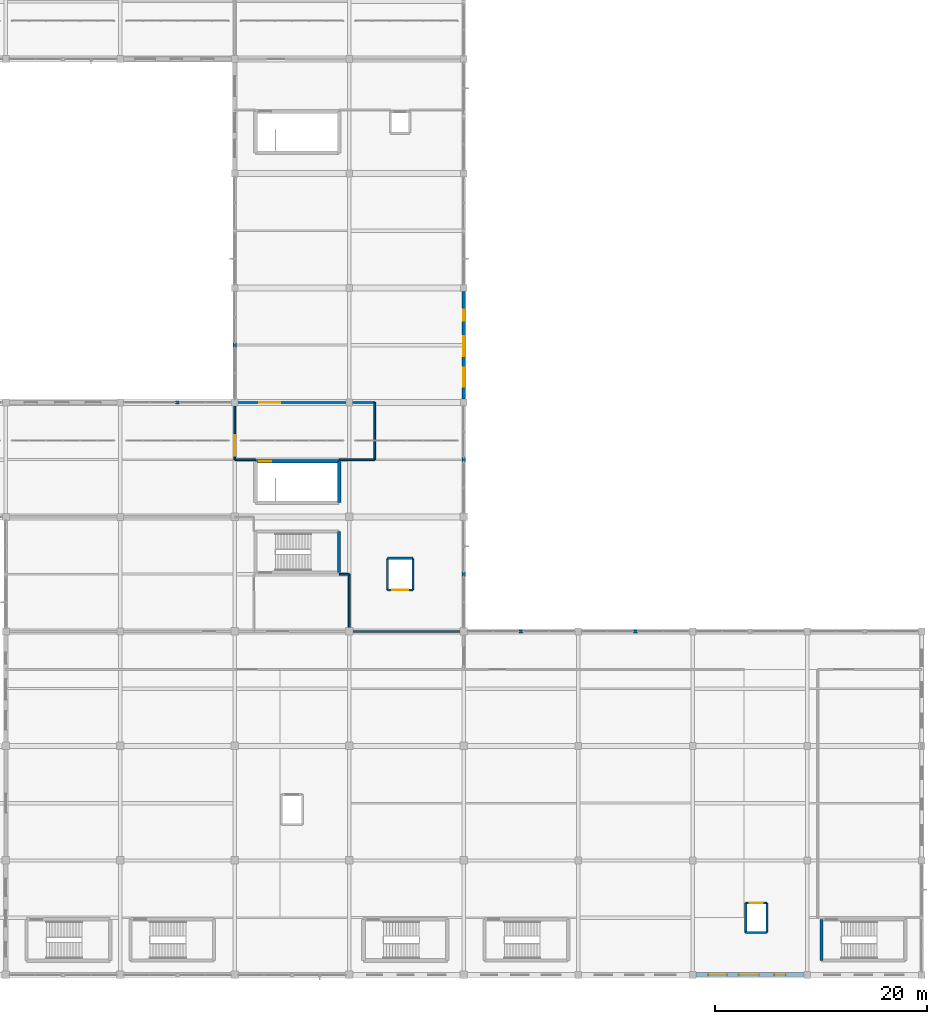
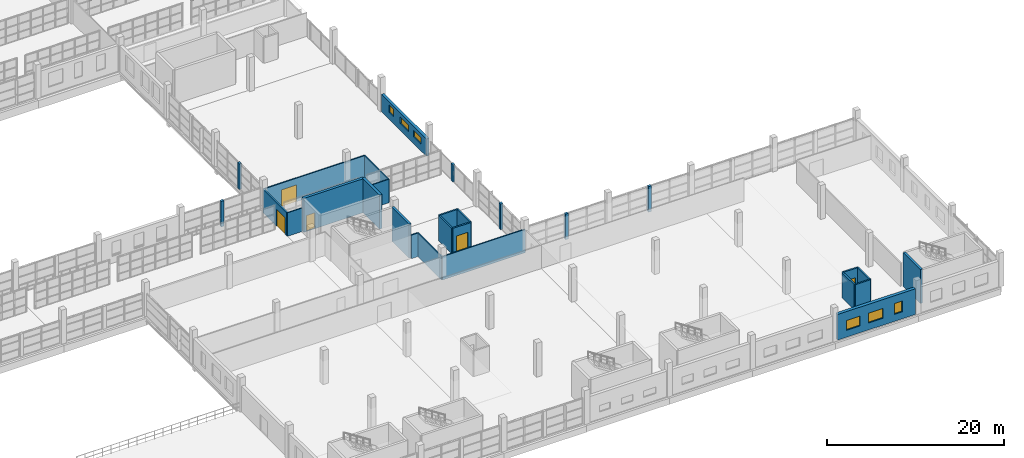
# One storey, part 112 of 142: 28 walls, 6 windows, 5 doors, 11 openings.
"""IFC4 building model written with IfcOpenShell, lengths in metres."""

from ifc_helpers import new_model, si_unit, direction, frame, frame_2d, origin, place, context, subcontext, project, spatial, rectangle, extrude, material, layer, layer_set, type_object, element, fill, save


model = new_model("IFC4")

# Units and contexts
model_context = context("Model", 3, precision=1e-05, world=origin(), true_north=direction((0.0, 1.0)))
body_context = subcontext(model_context, "Body", "Model", "MODEL_VIEW")
ifc_project = project(units=[si_unit("LENGTHUNIT", "METRE"), si_unit("AREAUNIT", "SQUARE_METRE"), si_unit("VOLUMEUNIT", "CUBIC_METRE"), si_unit("PLANEANGLEUNIT", "RADIAN"), si_unit("MASSUNIT", "GRAM", prefix="KILO")], contexts=[model_context])

# Site, building, storey
site_placement = place(None, origin())
site = spatial("IfcSite", under=ifc_project, at=site_placement, CompositionType="ELEMENT")
building_placement = place(site_placement, origin())
building = spatial("IfcBuilding", under=site, at=building_placement, Name="Zwinboog Wholesale Market", CompositionType="ELEMENT")
storey_placement = place(building_placement, frame((0.0, 0.0, 5.39990234375)))
storey = spatial("IfcBuildingStorey", under=building, at=storey_placement, Name="L01", CompositionType="ELEMENT", Elevation=5.39990234375)

# Wall, openings, windows
ifc_material_1 = material(Name="Precast concrete C45/55", Category="concrete")
ifc_layer_1 = layer(ifc_material_1, 0.3701171875)
ifc_layer_set_1 = layer_set([ifc_layer_1], Name="Precast concrete C45/55")
wall_type_1 = type_object("IfcWallType", Name="WT-EW-370", PredefinedType="STANDARD", material=ifc_layer_set_1)
wall_1_placement = place(storey_placement, frame((172.800048828125, 54.320068359375, 0.0), z_axis=(0.0, 0.0, 1.0), x_axis=(0.0, 1.0, 0.0)))
wall_1 = element("IfcWall", 1, at=wall_1_placement, inside=storey, type_object=wall_type_1, Name="EW-01 (WL-EW-L01-164)", PredefinedType="STANDARD", context=body_context, shape_type="SweptSolid", body=[
    extrude(rectangle(XDim=10.159912109375, YDim=0.3701171875, at=frame_2d((5.080078125, 0.0))), origin(), (0.0, 0.0, 1.0), 2.380126953125),
])
opening_1_placement = place(wall_1_placement, frame((1.1650390625, 0.0, 0.949951171875)))
opening_1 = element("IfcOpeningElement", 2, at=opening_1_placement, cuts=wall_1, Name="Opening WN-07", PredefinedType="OPENING", context=body_context, shape_type="SweptSolid", body=[
    extrude(rectangle(XDim=1.77001953125, YDim=0.89990234375, at=frame_2d((0.885009765625, 0.449951171875))), frame((0.0, 0.195068359375, 0.0), z_axis=(0.0, -1.0, 0.0), x_axis=(1.0, 0.0, 0.0)), (0.0, 0.0, 1.0), 0.39013671875),
])
opening_2_placement = place(wall_1_placement, frame((4.034912109375, 0.0, 0.949951171875)))
opening_2 = element("IfcOpeningElement", 3, at=opening_2_placement, cuts=wall_1, Name="Opening WN-08", PredefinedType="OPENING", context=body_context, shape_type="SweptSolid", body=[
    extrude(rectangle(XDim=1.889892578125, YDim=0.89990234375, at=frame_2d((0.94482421875, 0.449951171875))), frame((0.0, 0.195068359375, 0.0), z_axis=(0.0, -1.0, 0.0), x_axis=(1.0, 0.0, 0.0)), (0.0, 0.0, 1.0), 0.39013671875),
])
opening_3_placement = place(wall_1_placement, frame((7.385009765625, 0.0, 0.949951171875)))
opening_3 = element("IfcOpeningElement", 4, at=opening_3_placement, cuts=wall_1, Name="Opening WN-09", PredefinedType="OPENING", context=body_context, shape_type="SweptSolid", body=[
    extrude(rectangle(XDim=1.050048828125, YDim=1.050048828125, at=frame_2d((0.52490234375, 0.52490234375))), frame((0.0, 0.195068359375, 0.0), z_axis=(0.0, -1.0, 0.0), x_axis=(1.0, 0.0, 0.0)), (0.0, 0.0, 1.0), 0.39013671875),
])
ifc_material_2 = material(Name="Thermally broken aluminium low-e window", Category="aluminium")
window_type_1 = type_object("IfcWindowType", Name="WNT-07", PartitioningType="SINGLE_PANEL", PredefinedType="WINDOW", material=ifc_material_2)
window_1_placement = place(opening_1_placement, frame((1.77001953125, 0.0, 0.0), z_axis=(0.0, 0.0, 1.0), x_axis=(-1.0, 0.0, 0.0)))
window_1 = element("IfcWindow", 5, at=window_1_placement, inside=storey, type_object=window_type_1, Name="WN-07 (WIN-L01-0151)", OverallHeight=0.89990234375, OverallWidth=1.77001953125, PartitioningType="SINGLE_PANEL", PredefinedType="WINDOW", context=body_context, shape_type="SweptSolid", body=[
    extrude(rectangle(XDim=1.77001953125, YDim=0.89990234375, at=frame_2d((0.885009765625, 0.449951171875))), frame((0.0, 0.030029296875, 0.0), z_axis=(0.0, -1.0, 0.0), x_axis=(1.0, 0.0, 0.0)), (0.0, 0.0, 1.0), 0.06005859375),
])
fill(opening_1, window_1)
window_type_2 = type_object("IfcWindowType", Name="WNT-08", PartitioningType="SINGLE_PANEL", PredefinedType="WINDOW", material=ifc_material_2)
window_2_placement = place(opening_2_placement, frame((1.889892578125, 0.0, 0.0), z_axis=(0.0, 0.0, 1.0), x_axis=(-1.0, 0.0, 0.0)))
window_2 = element("IfcWindow", 6, at=window_2_placement, inside=storey, type_object=window_type_2, Name="WN-08 (WIN-L01-0152)", OverallHeight=0.89990234375, OverallWidth=1.889892578125, PartitioningType="SINGLE_PANEL", PredefinedType="WINDOW", context=body_context, shape_type="SweptSolid", body=[
    extrude(rectangle(XDim=1.889892578125, YDim=0.89990234375, at=frame_2d((0.94482421875, 0.449951171875))), frame((0.0, 0.030029296875, 0.0), z_axis=(0.0, -1.0, 0.0), x_axis=(1.0, 0.0, 0.0)), (0.0, 0.0, 1.0), 0.06005859375),
])
fill(opening_2, window_2)
window_type_3 = type_object("IfcWindowType", Name="WNT-09", PartitioningType="SINGLE_PANEL", PredefinedType="WINDOW", material=ifc_material_2)
window_3_placement = place(opening_3_placement, frame((1.050048828125, 0.0, 0.0), z_axis=(0.0, 0.0, 1.0), x_axis=(-1.0, 0.0, 0.0)))
window_3 = element("IfcWindow", 7, at=window_3_placement, inside=storey, type_object=window_type_3, Name="WN-09 (WIN-L01-0153)", OverallHeight=1.050048828125, OverallWidth=1.050048828125, PartitioningType="SINGLE_PANEL", PredefinedType="WINDOW", context=body_context, shape_type="SweptSolid", body=[
    extrude(rectangle(XDim=1.050048828125, YDim=1.050048828125, at=frame_2d((0.52490234375, 0.52490234375))), frame((0.0, 0.030029296875, 0.0), z_axis=(0.0, -1.0, 0.0), x_axis=(1.0, 0.0, 0.0)), (0.0, 0.0, 1.0), 0.06005859375),
])
fill(opening_3, window_3)

ifc_layer_2 = layer(ifc_material_1, 0.409912109375)
ifc_layer_set_2 = layer_set([ifc_layer_2], Name="Precast concrete C45/55")
wall_type_2 = type_object("IfcWallType", Name="WT-EW-410", PredefinedType="STANDARD", material=ifc_layer_set_2)
wall_2_placement = place(storey_placement, frame((194.719970703125, 0.0, 0.0), z_axis=(0.0, 0.0, 1.0), x_axis=(1.0, 0.0, 0.0)))
wall_2 = element("IfcWall", 8, at=wall_2_placement, inside=storey, type_object=wall_type_2, Name="EW-03 (WL-EW-L01-178)", PredefinedType="STANDARD", context=body_context, shape_type="SweptSolid", body=[
    extrude(rectangle(XDim=10.159912109375, YDim=0.409912109375, at=frame_2d((5.080078125, 0.0))), origin(), (0.0, 0.0, 1.0), 3.530029296875),
])
opening_4_placement = place(wall_2_placement, frame((1.1650390625, 0.0, 0.949951171875)))
opening_4 = element("IfcOpeningElement", 9, at=opening_4_placement, cuts=wall_2, Name="Opening WN-31", PredefinedType="OPENING", context=body_context, shape_type="SweptSolid", body=[
    extrude(rectangle(XDim=1.77001953125, YDim=1.35009765625, at=frame_2d((0.885009765625, 0.675048828125))), frame((0.0, 0.21484375, 0.0), z_axis=(0.0, -1.0, 0.0), x_axis=(1.0, 0.0, 0.0)), (0.0, 0.0, 1.0), 0.429931640625),
])
opening_5_placement = place(wall_2_placement, frame((4.034912109375, 0.0, 0.949951171875)))
opening_5 = element("IfcOpeningElement", 10, at=opening_5_placement, cuts=wall_2, Name="Opening WN-32", PredefinedType="OPENING", context=body_context, shape_type="SweptSolid", body=[
    extrude(rectangle(XDim=1.889892578125, YDim=1.35009765625, at=frame_2d((0.94482421875, 0.675048828125))), frame((0.0, 0.21484375, 0.0), z_axis=(0.0, -1.0, 0.0), x_axis=(1.0, 0.0, 0.0)), (0.0, 0.0, 1.0), 0.429931640625),
])
opening_6_placement = place(wall_2_placement, frame((7.385009765625, 0.0, 0.949951171875)))
opening_6 = element("IfcOpeningElement", 11, at=opening_6_placement, cuts=wall_2, Name="Opening WN-33", PredefinedType="OPENING", context=body_context, shape_type="SweptSolid", body=[
    extrude(rectangle(XDim=1.050048828125, YDim=1.5, at=frame_2d((0.52490234375, 0.75))), frame((0.0, 0.21484375, 0.0), z_axis=(0.0, -1.0, 0.0), x_axis=(1.0, 0.0, 0.0)), (0.0, 0.0, 1.0), 0.429931640625),
])
window_type_4 = type_object("IfcWindowType", Name="WNT-31", PartitioningType="SINGLE_PANEL", PredefinedType="WINDOW", material=ifc_material_2)
window_4_placement = place(opening_4_placement, frame((1.77001953125, 0.0, 0.0), z_axis=(0.0, 0.0, 1.0), x_axis=(-1.0, 0.0, 0.0)))
window_4 = element("IfcWindow", 12, at=window_4_placement, inside=storey, type_object=window_type_4, Name="WN-31 (WIN-L01-0175)", OverallHeight=1.35009765625, OverallWidth=1.77001953125, PartitioningType="SINGLE_PANEL", PredefinedType="WINDOW", context=body_context, shape_type="SweptSolid", body=[
    extrude(rectangle(XDim=1.77001953125, YDim=1.35009765625, at=frame_2d((0.885009765625, 0.675048828125))), frame((0.0, 0.030029296875, 0.0), z_axis=(0.0, -1.0, 0.0), x_axis=(1.0, 0.0, 0.0)), (0.0, 0.0, 1.0), 0.06005859375),
])
fill(opening_4, window_4)
window_type_5 = type_object("IfcWindowType", Name="WNT-32", PartitioningType="SINGLE_PANEL", PredefinedType="WINDOW", material=ifc_material_2)
window_5_placement = place(opening_5_placement, frame((1.889892578125, 0.0, 0.0), z_axis=(0.0, 0.0, 1.0), x_axis=(-1.0, 0.0, 0.0)))
window_5 = element("IfcWindow", 13, at=window_5_placement, inside=storey, type_object=window_type_5, Name="WN-32 (WIN-L01-0176)", OverallHeight=1.35009765625, OverallWidth=1.889892578125, PartitioningType="SINGLE_PANEL", PredefinedType="WINDOW", context=body_context, shape_type="SweptSolid", body=[
    extrude(rectangle(XDim=1.889892578125, YDim=1.35009765625, at=frame_2d((0.94482421875, 0.675048828125))), frame((0.0, 0.030029296875, 0.0), z_axis=(0.0, -1.0, 0.0), x_axis=(1.0, 0.0, 0.0)), (0.0, 0.0, 1.0), 0.06005859375),
])
fill(opening_5, window_5)
window_type_6 = type_object("IfcWindowType", Name="WNT-33", PartitioningType="SINGLE_PANEL", PredefinedType="WINDOW", material=ifc_material_2)
window_6_placement = place(opening_6_placement, frame((1.050048828125, 0.0, 0.0), z_axis=(0.0, 0.0, 1.0), x_axis=(-1.0, 0.0, 0.0)))
window_6 = element("IfcWindow", 14, at=window_6_placement, inside=storey, type_object=window_type_6, Name="WN-33 (WIN-L01-0177)", OverallHeight=1.5, OverallWidth=1.050048828125, PartitioningType="SINGLE_PANEL", PredefinedType="WINDOW", context=body_context, shape_type="SweptSolid", body=[
    extrude(rectangle(XDim=1.050048828125, YDim=1.5, at=frame_2d((0.52490234375, 0.75))), frame((0.0, 0.030029296875, 0.0), z_axis=(0.0, -1.0, 0.0), x_axis=(1.0, 0.0, 0.0)), (0.0, 0.0, 1.0), 0.06005859375),
])
fill(opening_6, window_6)

# Walls
ifc_layer_3 = layer(ifc_material_1, 0.304931640625)
ifc_layer_set_3 = layer_set([ifc_layer_3], Name="Precast concrete C45/55")
wall_type_3 = type_object("IfcWallType", Name="WT-EW-305", PredefinedType="STANDARD", material=ifc_layer_set_3)
wall_3_placement = place(storey_placement, frame((145.60009765625, 54.0, 0.0), z_axis=(0.0, 0.0, 1.0), x_axis=(1.0, 0.0, 0.0)))
element("IfcWall", 15, at=wall_3_placement, inside=storey, type_object=wall_type_3, Name="EW-07 (WL-PIER-L01-153)", PredefinedType="STANDARD", context=body_context, shape_type="SweptSolid", body=[
    extrude(rectangle(XDim=0.39990234375, YDim=0.304931640625, at=frame_2d((0.199951171875, 0.0))), origin(), (0.0, 0.0, 1.0), 3.530029296875),
])
wall_4_placement = place(storey_placement, frame((151.199951171875, 59.199951171875, 0.0), z_axis=(0.0, 0.0, 1.0), x_axis=(0.0, 1.0, 0.0)))
element("IfcWall", 16, at=wall_4_placement, inside=storey, type_object=wall_type_3, Name="EW-07 (WL-PIER-L01-157)", PredefinedType="STANDARD", context=body_context, shape_type="SweptSolid", body=[
    extrude(rectangle(XDim=0.400146484375, YDim=0.304931640625, at=frame_2d((0.2001953125, 0.0))), origin(), (0.0, 0.0, 1.0), 3.530029296875),
])
wall_5_placement = place(storey_placement, frame((172.800048828125, 37.60009765625, 0.0), z_axis=(0.0, 0.0, 1.0), x_axis=(0.0, 1.0, 0.0)))
element("IfcWall", 17, at=wall_5_placement, inside=storey, type_object=wall_type_3, Name="EW-07 (WL-PIER-L01-162)", PredefinedType="STANDARD", context=body_context, shape_type="SweptSolid", body=[
    extrude(rectangle(XDim=0.39990234375, YDim=0.304931640625, at=frame_2d((0.199951171875, 0.0))), origin(), (0.0, 0.0, 1.0), 3.530029296875),
])
wall_6_placement = place(storey_placement, frame((172.800048828125, 48.39990234375, 0.0), z_axis=(0.0, 0.0, 1.0), x_axis=(0.0, 1.0, 0.0)))
element("IfcWall", 18, at=wall_6_placement, inside=storey, type_object=wall_type_3, Name="EW-07 (WL-PIER-L01-163)", PredefinedType="STANDARD", context=body_context, shape_type="SweptSolid", body=[
    extrude(rectangle(XDim=0.400146484375, YDim=0.304931640625, at=frame_2d((0.2001953125, 0.0))), origin(), (0.0, 0.0, 1.0), 2.380126953125),
])
for number, where, z_axis, x_axis, name in (
    (19, (178.0, 32.39990234375, 0.0), (0.0, 0.0, 1.0), (1.0, 0.0, 0.0), "EW-07 (WL-PIER-L01-171)"),
    (20, (188.800048828125, 32.39990234375, 0.0), (0.0, 0.0, 1.0), (1.0, 0.0, 0.0), "EW-07 (WL-PIER-L01-175)"),
):
    element("IfcWall", number, at=place(storey_placement, frame(where, z_axis=z_axis, x_axis=x_axis)), inside=storey, type_object=wall_type_3, Name=name, PredefinedType="STANDARD", context=body_context, shape_type="SweptSolid", body=[
        extrude(rectangle(XDim=0.39990234375, YDim=0.304931640625, at=frame_2d((0.199951171875, 0.0))), origin(), (0.0, 0.0, 1.0), 3.530029296875),
    ])
ifc_material_3 = material(Name="Concrete C40/50", Category="concrete")
ifc_layer_4 = layer(ifc_material_3, 0.280029296875)
ifc_layer_set_4 = layer_set([ifc_layer_4], Name="Concrete C40/50")
wall_type_4 = type_object("IfcWallType", Name="WT-SW-280", PredefinedType="SHEAR", material=ifc_layer_set_4)
wall_7_placement = place(storey_placement, frame((206.550048828125, 1.35009765625, 0.0), z_axis=(0.0, 0.0, 1.0), x_axis=(0.0, 1.0, 0.0)))
element("IfcWall", 21, at=wall_7_placement, inside=storey, type_object=wall_type_4, Name="SW-01 (WL-SW-L01-063)", PredefinedType="SHEAR", context=body_context, shape_type="SweptSolid", body=[
    extrude(rectangle(XDim=3.89990234375, YDim=0.280029296875, at=frame_2d((1.949951171875, 0.0))), origin(), (0.0, 0.0, 1.0), 4.68017578125),
])
wall_8_placement = place(storey_placement, frame((161.050048828125, 37.949951171875, 0.0), z_axis=(0.0, 0.0, 1.0), x_axis=(0.0, 1.0, 0.0)))
element("IfcWall", 22, at=wall_8_placement, inside=storey, type_object=wall_type_4, Name="SW-01 (WL-SW-L01-120)", PredefinedType="SHEAR", context=body_context, shape_type="SweptSolid", body=[
    extrude(rectangle(XDim=3.900146484375, YDim=0.280029296875, at=frame_2d((1.9501953125, 0.0))), origin(), (0.0, 0.0, 1.0), 4.68017578125),
])

# Wall, opening, door
ifc_layer_5 = layer(ifc_material_3, 0.35009765625)
ifc_layer_set_5 = layer_set([ifc_layer_5], Name="Concrete C40/50")
wall_type_5 = type_object("IfcWallType", Name="WT-SW-350", PredefinedType="SHEAR", material=ifc_layer_set_5)
wall_9_placement = place(storey_placement, frame((153.14990234375, 48.449951171875, 0.0), z_axis=(0.0, 0.0, 1.0), x_axis=(1.0, 0.0, 0.0)))
wall_9 = element("IfcWall", 23, at=wall_9_placement, inside=storey, type_object=wall_type_5, Name="SW-04 (WL-SW-L01-158)", PredefinedType="SHEAR", context=body_context, shape_type="SweptSolid", body=[
    extrude(rectangle(XDim=7.900146484375, YDim=0.35009765625, at=frame_2d((3.9501953125, 0.0))), origin(), (0.0, 0.0, 1.0), 4.68017578125),
])
opening_7_placement = place(wall_9_placement, frame((0.3798828125, 0.0, 0.0)))
opening_7 = element("IfcOpeningElement", 24, at=opening_7_placement, cuts=wall_9, Name="Opening FD-0040", PredefinedType="OPENING", context=body_context, shape_type="SweptSolid", body=[
    extrude(rectangle(XDim=1.10009765625, YDim=2.199951171875, at=frame_2d((0.550048828125, 1.10009765625))), frame((0.0, 0.18505859375, 0.0), z_axis=(0.0, -1.0, 0.0), x_axis=(1.0, 0.0, 0.0)), (0.0, 0.0, 1.0), 0.3701171875),
])
ifc_material_4 = material(Name="Timber and powder-coated steel door leaf", Category="steel")
door_type_1 = type_object("IfcDoorType", Name="IDT-FD-02", OperationType="NOTDEFINED", PredefinedType="DOOR", material=ifc_material_4)
door_1_placement = place(opening_7_placement, origin())
door_1 = element("IfcDoor", 25, at=door_1_placement, inside=storey, type_object=door_type_1, Name="Core Fire Door FD-0040", OperationType="SINGLE_SWING_LEFT", OverallHeight=2.199951171875, OverallWidth=1.10009765625, PredefinedType="DOOR", context=body_context, shape_type="SweptSolid", body=[
    extrude(rectangle(XDim=1.10009765625, YDim=2.199951171875, at=frame_2d((0.550048828125, 1.10009765625))), frame((0.0, 0.02490234375, 0.0), z_axis=(0.0, -1.0, 0.0), x_axis=(1.0, 0.0, 0.0)), (0.0, 0.0, 1.0), 0.050048828125),
])
fill(opening_7, door_1)

# Walls
wall_10_placement = place(storey_placement, frame((161.050048828125, 44.550048828125, 0.0), z_axis=(0.0, 0.0, 1.0), x_axis=(0.0, 1.0, 0.0)))
element("IfcWall", 26, at=wall_10_placement, inside=storey, type_object=wall_type_5, Name="SW-04 (WL-SW-L01-160)", PredefinedType="SHEAR", context=body_context, shape_type="SweptSolid", body=[
    extrude(rectangle(XDim=3.89990234375, YDim=0.35009765625, at=frame_2d((1.949951171875, 0.0))), origin(), (0.0, 0.0, 1.0), 4.68017578125),
])
ifc_layer_6 = layer(ifc_material_1, 0.199951171875)
ifc_layer_set_6 = layer_set([ifc_layer_6], Name="Precast concrete C45/55")
wall_type_6 = type_object("IfcWallType", Name="WT-IW-200", PredefinedType="SOLIDWALL", material=ifc_layer_set_6)
wall_11_placement = place(storey_placement, frame((199.39990234375, 4.0, 0.0), z_axis=(0.0, 0.0, 1.0), x_axis=(1.0, 0.0, 0.0)))
element("IfcWall", 27, at=wall_11_placement, inside=storey, type_object=wall_type_6, Name="IW-60 (WL-LSH-L01-205)", PredefinedType="SOLIDWALL", context=body_context, shape_type="SweptSolid", body=[
    extrude(rectangle(XDim=2.0, YDim=0.199951171875, at=frame_2d((1.0, 0.0))), origin(), (0.0, 0.0, 1.0), 3.5),
])

# Wall, opening, door
wall_12_placement = place(storey_placement, frame((199.39990234375, 6.800048828125, 0.0), z_axis=(0.0, 0.0, 1.0), x_axis=(1.0, 0.0, 0.0)))
wall_12 = element("IfcWall", 28, at=wall_12_placement, inside=storey, type_object=wall_type_6, Name="IW-60 (WL-LSH-L01-206)", PredefinedType="SOLIDWALL", context=body_context, shape_type="SweptSolid", body=[
    extrude(rectangle(XDim=2.0, YDim=0.199951171875, at=frame_2d((1.0, 0.0))), origin(), (0.0, 0.0, 1.0), 3.5),
])
opening_8_placement = place(wall_12_placement, frame((0.389892578125, 0.0, 0.0)))
opening_8 = element("IfcOpeningElement", 29, at=opening_8_placement, cuts=wall_12, Name="Opening LD-010", PredefinedType="OPENING", context=body_context, shape_type="SweptSolid", body=[
    extrude(rectangle(XDim=1.219970703125, YDim=2.199951171875, at=frame_2d((0.60986328125, 1.10009765625))), frame((0.0, 0.10986328125, 0.0), z_axis=(0.0, -1.0, 0.0), x_axis=(1.0, 0.0, 0.0)), (0.0, 0.0, 1.0), 0.219970703125),
])
door_type_2 = type_object("IfcDoorType", Name="IDT-LD-120", OperationType="DOUBLE_DOOR_SLIDING", PredefinedType="DOOR", material=ifc_material_4)
door_2_placement = place(opening_8_placement, origin())
door_2 = element("IfcDoor", 30, at=door_2_placement, inside=storey, type_object=door_type_2, Name="Lift Landing Door LD-010 (LP-05)", OperationType="DOUBLE_DOOR_SLIDING", OverallHeight=2.199951171875, OverallWidth=1.219970703125, PredefinedType="DOOR", context=body_context, shape_type="SweptSolid", body=[
    extrude(rectangle(XDim=1.219970703125, YDim=2.199951171875, at=frame_2d((0.60986328125, 1.10009765625))), frame((0.0, 0.02490234375, 0.0), z_axis=(0.0, -1.0, 0.0), x_axis=(1.0, 0.0, 0.0)), (0.0, 0.0, 1.0), 0.050048828125),
])
fill(opening_8, door_2)

# Walls
for number, where, z_axis, x_axis, name in (
    (31, (199.39990234375, 4.0, 0.0), (0.0, 0.0, 1.0), (0.0, 1.0, 0.0), "IW-60 (WL-LSH-L01-207)"),
    (32, (201.39990234375, 4.0, 0.0), (0.0, 0.0, 1.0), (0.0, 1.0, 0.0), "IW-60 (WL-LSH-L01-208)"),
):
    element("IfcWall", number, at=place(storey_placement, frame(where, z_axis=z_axis, x_axis=x_axis)), inside=storey, type_object=wall_type_6, Name=name, PredefinedType="SOLIDWALL", context=body_context, shape_type="SweptSolid", body=[
        extrude(rectangle(XDim=2.800048828125, YDim=0.199951171875, at=frame_2d((1.39990234375, 0.0))), origin(), (0.0, 0.0, 1.0), 3.5),
    ])

# Wall, opening, door
wall_13_placement = place(storey_placement, frame((165.60009765625, 36.300048828125, 0.0), z_axis=(0.0, 0.0, 1.0), x_axis=(1.0, 0.0, 0.0)))
wall_13 = element("IfcWall", 33, at=wall_13_placement, inside=storey, type_object=wall_type_6, Name="IW-60 (WL-LSH-L01-257)", PredefinedType="SOLIDWALL", context=body_context, shape_type="SweptSolid", body=[
    extrude(rectangle(XDim=2.39990234375, YDim=0.199951171875, at=frame_2d((1.199951171875, 0.0))), origin(), (0.0, 0.0, 1.0), 3.5),
])
opening_9_placement = place(wall_13_placement, frame((0.449951171875, 0.0, 0.0)))
opening_9 = element("IfcOpeningElement", 34, at=opening_9_placement, cuts=wall_13, Name="Opening LD-023", PredefinedType="OPENING", context=body_context, shape_type="SweptSolid", body=[
    extrude(rectangle(XDim=1.5, YDim=2.300048828125, at=frame_2d((0.75, 1.14990234375))), frame((0.0, 0.10986328125, 0.0), z_axis=(0.0, -1.0, 0.0), x_axis=(1.0, 0.0, 0.0)), (0.0, 0.0, 1.0), 0.219970703125),
])
door_type_3 = type_object("IfcDoorType", Name="IDT-LD-150", OperationType="DOUBLE_DOOR_SLIDING", PredefinedType="DOOR", material=ifc_material_4)
door_3_placement = place(opening_9_placement, origin())
door_3 = element("IfcDoor", 35, at=door_3_placement, inside=storey, type_object=door_type_3, Name="Lift Landing Door LD-023 (LG-04)", OperationType="DOUBLE_DOOR_SLIDING", OverallHeight=2.300048828125, OverallWidth=1.5, PredefinedType="DOOR", context=body_context, shape_type="SweptSolid", body=[
    extrude(rectangle(XDim=1.5, YDim=2.300048828125, at=frame_2d((0.75, 1.14990234375))), frame((0.0, 0.02490234375, 0.0), z_axis=(0.0, -1.0, 0.0), x_axis=(1.0, 0.0, 0.0)), (0.0, 0.0, 1.0), 0.050048828125),
])
fill(opening_9, door_3)

# Walls
wall_14_placement = place(storey_placement, frame((165.60009765625, 39.300048828125, 0.0), z_axis=(0.0, 0.0, 1.0), x_axis=(1.0, 0.0, 0.0)))
element("IfcWall", 36, at=wall_14_placement, inside=storey, type_object=wall_type_6, Name="IW-60 (WL-LSH-L01-258)", PredefinedType="SOLIDWALL", context=body_context, shape_type="SweptSolid", body=[
    extrude(rectangle(XDim=2.39990234375, YDim=0.199951171875, at=frame_2d((1.199951171875, 0.0))), origin(), (0.0, 0.0, 1.0), 3.5),
])
for number, where, z_axis, x_axis, name in (
    (37, (165.60009765625, 36.300048828125, 0.0), (0.0, 0.0, 1.0), (0.0, 1.0, 0.0), "IW-60 (WL-LSH-L01-259)"),
    (38, (168.0, 36.300048828125, 0.0), (0.0, 0.0, 1.0), (0.0, 1.0, 0.0), "IW-60 (WL-LSH-L01-260)"),
):
    element("IfcWall", number, at=place(storey_placement, frame(where, z_axis=z_axis, x_axis=x_axis)), inside=storey, type_object=wall_type_6, Name=name, PredefinedType="SOLIDWALL", context=body_context, shape_type="SweptSolid", body=[
        extrude(rectangle(XDim=3.0, YDim=0.199951171875, at=frame_2d((1.5, 0.0))), origin(), (0.0, 0.0, 1.0), 3.5),
    ])

# Wall, opening, door
ifc_material_5 = material(Name="Fire-rated corridor stud partition")
ifc_layer_7 = layer(ifc_material_5, 0.154052734375)
ifc_layer_set_7 = layer_set([ifc_layer_7], Name="Fire-rated corridor stud partition")
wall_type_7 = type_object("IfcWallType", Name="WT-PT-154", PredefinedType="PARTITIONING", material=ifc_layer_set_7)
wall_15_placement = place(storey_placement, frame((151.199951171875, 54.0, 0.0), z_axis=(0.0, 0.0, 1.0), x_axis=(1.0, 0.0, 0.0)))
wall_15 = element("IfcWall", 39, at=wall_15_placement, inside=storey, type_object=wall_type_7, Name="PW-04 (WL-IN-L01-0145)", PredefinedType="PARTITIONING", context=body_context, shape_type="SweptSolid", body=[
    extrude(rectangle(XDim=13.199951171875, YDim=0.154052734375, at=frame_2d((6.60009765625, 0.0))), origin(), (0.0, 0.0, 1.0), 3.22998046875),
])
opening_10_placement = place(wall_15_placement, frame((2.320068359375, 0.0, 0.0)))
opening_10 = element("IfcOpeningElement", 40, at=opening_10_placement, cuts=wall_15, Name="Opening IDF-0072", PredefinedType="OPENING", context=body_context, shape_type="SweptSolid", body=[
    extrude(rectangle(XDim=1.9599609375, YDim=2.300048828125, at=frame_2d((0.97998046875, 1.14990234375))), frame((0.0, 0.0869140625, 0.0), z_axis=(0.0, -1.0, 0.0), x_axis=(1.0, 0.0, 0.0)), (0.0, 0.0, 1.0), 0.174072265625),
])
door_type_4 = type_object("IfcDoorType", Name="IDT-FD-05", OperationType="DOUBLE_DOOR_SINGLE_SWING", PredefinedType="DOOR", material=ifc_material_4)
door_4_placement = place(opening_10_placement, frame((1.9599609375, 0.0, 0.0), z_axis=(0.0, 0.0, 1.0), x_axis=(-1.0, 0.0, 0.0)))
door_4 = element("IfcDoor", 41, at=door_4_placement, inside=storey, type_object=door_type_4, Name="Interior Door IDF-0072", OperationType="DOUBLE_DOOR_SINGLE_SWING", OverallHeight=2.300048828125, OverallWidth=1.9599609375, PredefinedType="DOOR", context=body_context, shape_type="SweptSolid", body=[
    extrude(rectangle(XDim=1.9599609375, YDim=2.300048828125, at=frame_2d((0.97998046875, 1.14990234375))), frame((0.0, 0.02490234375, 0.0), z_axis=(0.0, -1.0, 0.0), x_axis=(1.0, 0.0, 0.0)), (0.0, 0.0, 1.0), 0.050048828125),
])
fill(opening_10, door_4)

# Walls
wall_16_placement = place(storey_placement, frame((151.199951171875, 48.60009765625, 0.0), z_axis=(0.0, 0.0, 1.0), x_axis=(1.0, 0.0, 0.0)))
element("IfcWall", 42, at=wall_16_placement, inside=storey, type_object=wall_type_7, Name="PW-04 (WL-IN-L01-0215)", PredefinedType="PARTITIONING", context=body_context, shape_type="SweptSolid", body=[
    extrude(rectangle(XDim=1.929931640625, YDim=0.154052734375, at=frame_2d((0.96484375, 0.0))), origin(), (0.0, 0.0, 1.0), 3.22998046875),
])
wall_17_placement = place(storey_placement, frame((161.070068359375, 48.60009765625, 0.0), z_axis=(0.0, 0.0, 1.0), x_axis=(1.0, 0.0, 0.0)))
element("IfcWall", 43, at=wall_17_placement, inside=storey, type_object=wall_type_7, Name="PW-04 (WL-IN-L01-0216)", PredefinedType="PARTITIONING", context=body_context, shape_type="SweptSolid", body=[
    extrude(rectangle(XDim=3.329833984375, YDim=0.154052734375, at=frame_2d((1.6650390625, 0.0))), origin(), (0.0, 0.0, 1.0), 3.22998046875),
])
wall_18_placement = place(storey_placement, frame((162.0, 32.39990234375, 0.0), z_axis=(0.0, 0.0, 1.0), x_axis=(1.0, 0.0, 0.0)))
element("IfcWall", 44, at=wall_18_placement, inside=storey, type_object=wall_type_7, Name="PW-04 (WL-IN-L01-0227)", PredefinedType="PARTITIONING", context=body_context, shape_type="SweptSolid", body=[
    extrude(rectangle(XDim=10.800048828125, YDim=0.154052734375, at=frame_2d((5.39990234375, 0.0))), origin(), (0.0, 0.0, 1.0), 3.22998046875),
])
wall_19_placement = place(storey_placement, frame((164.39990234375, 48.60009765625, 0.0), z_axis=(0.0, 0.0, 1.0), x_axis=(0.0, 1.0, 0.0)))
element("IfcWall", 45, at=wall_19_placement, inside=storey, type_object=wall_type_7, Name="PW-04 (WL-IN-L01-0229)", PredefinedType="PARTITIONING", context=body_context, shape_type="SweptSolid", body=[
    extrude(rectangle(XDim=5.39990234375, YDim=0.154052734375, at=frame_2d((2.699951171875, 0.0))), origin(), (0.0, 0.0, 1.0), 3.22998046875),
])

# Wall, opening, door
ifc_material_6 = material(Name="Laboratory acoustic partition")
ifc_layer_8 = layer(ifc_material_6, 0.16796875)
ifc_layer_set_8 = layer_set([ifc_layer_8], Name="Laboratory acoustic partition")
wall_type_8 = type_object("IfcWallType", Name="WT-PT-168", PredefinedType="PARTITIONING", material=ifc_layer_set_8)
wall_20_placement = place(storey_placement, frame((151.199951171875, 48.60009765625, 0.0), z_axis=(0.0, 0.0, 1.0), x_axis=(0.0, 1.0, 0.0)))
wall_20 = element("IfcWall", 46, at=wall_20_placement, inside=storey, type_object=wall_type_8, Name="PW-05 (WL-IN-L01-0144)", PredefinedType="PARTITIONING", context=body_context, shape_type="SweptSolid", body=[
    extrude(rectangle(XDim=5.39990234375, YDim=0.16796875, at=frame_2d((2.699951171875, 0.0))), origin(), (0.0, 0.0, 1.0), 3.22998046875),
])
opening_11_placement = place(wall_20_placement, frame((0.3701171875, 0.0, 0.0)))
opening_11 = element("IfcOpeningElement", 47, at=opening_11_placement, cuts=wall_20, Name="Opening IDF-0071", PredefinedType="OPENING", context=body_context, shape_type="SweptSolid", body=[
    extrude(rectangle(XDim=1.9599609375, YDim=2.300048828125, at=frame_2d((0.97998046875, 1.14990234375))), frame((0.0, 0.093994140625, 0.0), z_axis=(0.0, -1.0, 0.0), x_axis=(1.0, 0.0, 0.0)), (0.0, 0.0, 1.0), 0.18798828125),
])
door_5_placement = place(opening_11_placement, origin())
door_5 = element("IfcDoor", 48, at=door_5_placement, inside=storey, type_object=door_type_4, Name="Interior Door IDF-0071", OperationType="DOUBLE_DOOR_SINGLE_SWING", OverallHeight=2.300048828125, OverallWidth=1.9599609375, PredefinedType="DOOR", context=body_context, shape_type="SweptSolid", body=[
    extrude(rectangle(XDim=1.9599609375, YDim=2.300048828125, at=frame_2d((0.97998046875, 1.14990234375))), frame((0.0, 0.02490234375, 0.0), z_axis=(0.0, -1.0, 0.0), x_axis=(1.0, 0.0, 0.0)), (0.0, 0.0, 1.0), 0.050048828125),
])
fill(opening_11, door_5)

# Walls
wall_21_placement = place(storey_placement, frame((161.070068359375, 37.800048828125, 0.0), z_axis=(0.0, 0.0, 1.0), x_axis=(1.0, 0.0, 0.0)))
element("IfcWall", 49, at=wall_21_placement, inside=storey, type_object=wall_type_8, Name="PW-05 (WL-IN-L01-0222)", PredefinedType="PARTITIONING", context=body_context, shape_type="SweptSolid", body=[
    extrude(rectangle(XDim=0.929931640625, YDim=0.16796875, at=frame_2d((0.46484375, 0.0))), origin(), (0.0, 0.0, 1.0), 3.22998046875),
])
wall_22_placement = place(storey_placement, frame((162.0, 32.39990234375, 0.0), z_axis=(0.0, 0.0, 1.0), x_axis=(0.0, 1.0, 0.0)))
element("IfcWall", 50, at=wall_22_placement, inside=storey, type_object=wall_type_8, Name="PW-05 (WL-IN-L01-0228)", PredefinedType="PARTITIONING", context=body_context, shape_type="SweptSolid", body=[
    extrude(rectangle(XDim=5.400146484375, YDim=0.16796875, at=frame_2d((2.7001953125, 0.0))), origin(), (0.0, 0.0, 1.0), 3.22998046875),
])

save(model, "model.ifc")
